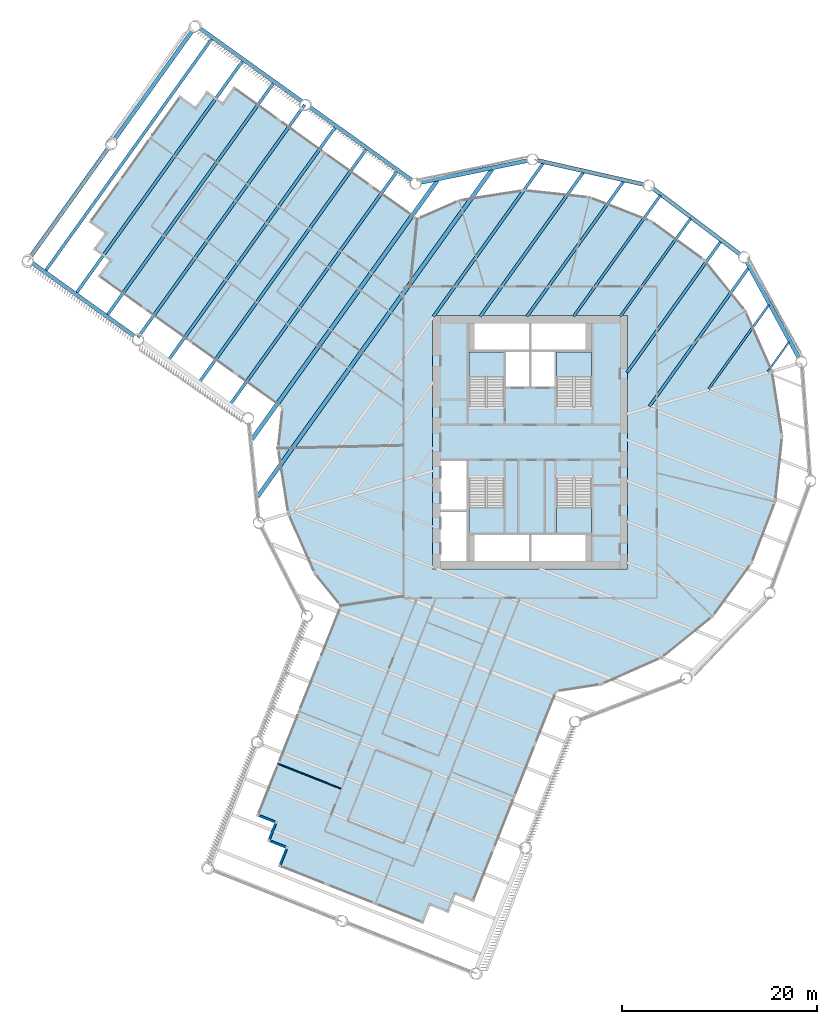
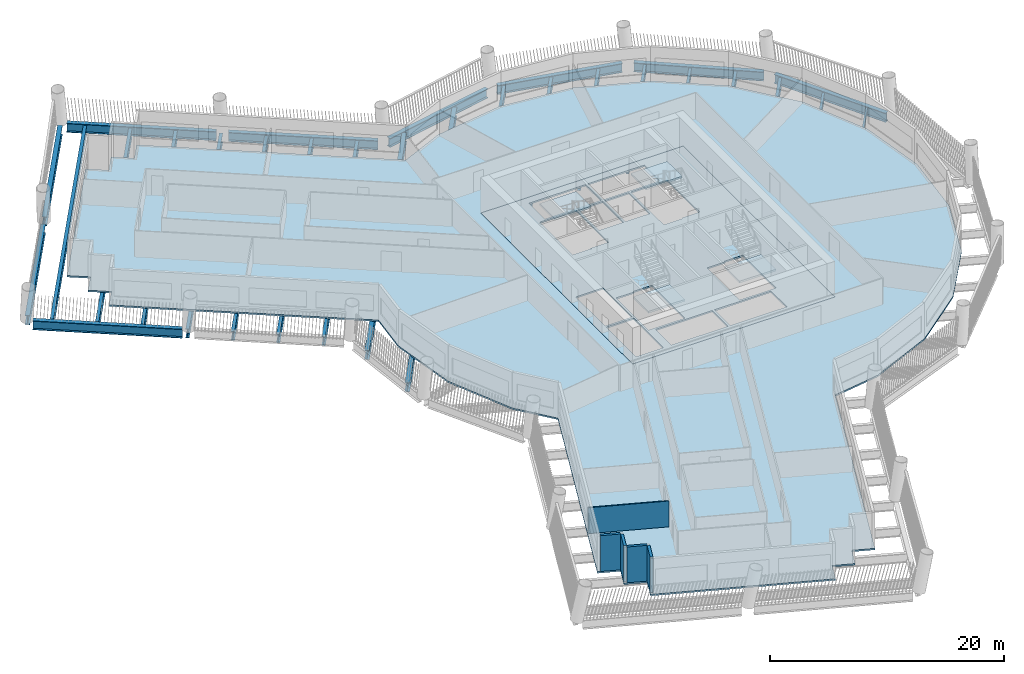
# One storey, part 2 of 17: 27 beams, 6 slabs, 5 walls, 4 elements without a shape of their own.
"""IFC4 building model written with IfcOpenShell, lengths in metres."""

from ifc_helpers import new_model, si_unit, direction, frame, frame_2d, origin, origin_2d, place, context, subcontext, project, spatial, polyline, rectangle, i_section, outline, extrude, material, layer, layer_set, material_profile, profile_set, type_object, element, aggregate, save


model = new_model("IFC4")

# Units and contexts
model_context = context("Model", 3, precision=1e-05, world=origin(), true_north=direction((0.0, 1.0)))
body_context = subcontext(model_context, "Body", "Model", "MODEL_VIEW")
ifc_project = project(units=[si_unit("LENGTHUNIT", "METRE"), si_unit("AREAUNIT", "SQUARE_METRE"), si_unit("VOLUMEUNIT", "CUBIC_METRE"), si_unit("PLANEANGLEUNIT", "RADIAN"), si_unit("MASSUNIT", "GRAM", prefix="KILO")], contexts=[model_context])

# Site, building, storey
site_placement = place(None, origin())
site = spatial("IfcSite", under=ifc_project, at=site_placement, CompositionType="ELEMENT")
building_placement = place(site_placement, origin())
building = spatial("IfcBuilding", under=site, at=building_placement, Name="Tarsis Ring Headquarters", CompositionType="ELEMENT")
storey_placement = place(building_placement, frame((0.0, 0.0, 127.89990234375)))
storey = spatial("IfcBuildingStorey", under=building, at=storey_placement, Name="L29", CompositionType="ELEMENT", Elevation=127.89990234375)

# Beams
ifc_material_1 = material(Name="Structural steel S355", Category="steel")
ifc_material_profile_1 = material_profile(ifc_material_1, i_section(OverallWidth=0.177734375, OverallDepth=0.406494140625, WebThickness=0.0078125, FlangeThickness=0.0126953125, at=origin_2d()), Name="W16x40")
ifc_profile_set_1 = profile_set([ifc_material_profile_1], Name="Structural steel S355")
beam_type_1 = type_object("IfcBeamType", Name="FB Floor beam W16x40", PredefinedType="JOIST", material=ifc_profile_set_1)
beam_1_placement = place(storey_placement, frame((26.57763671875, 10.310546875, -0.363037109375), z_axis=(-0.582422660769, -0.812886120083, 0.0), x_axis=(0.812886120083, -0.582422660769, 0.0)))
element("IfcBeam", 1, at=beam_1_placement, inside=storey, type_object=beam_type_1, Name="Floor beam FB1", PredefinedType="JOIST", context=body_context, shape_type="SweptSolid", body=[
    extrude(i_section(OverallWidth=0.177734375, OverallDepth=0.406494140625, WebThickness=0.0078125, FlangeThickness=0.0126953125, at=origin_2d()), origin(), (0.0, 0.0, 1.0), 3.74169921875),
])
ifc_material_profile_2 = material_profile(ifc_material_1, i_section(OverallWidth=0.228271484375, OverallDepth=0.607177734375, WebThickness=0.01123046875, FlangeThickness=0.017333984375, at=origin_2d()), Name="W24x76")
ifc_profile_set_2 = profile_set([ifc_material_profile_2], Name="Structural steel S355")
beam_type_2 = type_object("IfcBeamType", Name="FB Floor beam W24x76", PredefinedType="JOIST", material=ifc_profile_set_2)
beam_2_placement = place(storey_placement, frame((24.5068359375, 14.116455078125, -0.46337890625), z_axis=(-0.582398710477, -0.812903279631, 0.0), x_axis=(0.812903279631, -0.582398710477, 0.0)))
element("IfcBeam", 2, at=beam_2_placement, inside=storey, type_object=beam_type_2, Name="Floor beam FB4", PredefinedType="JOIST", context=body_context, shape_type="SweptSolid", body=[
    extrude(i_section(OverallWidth=0.228271484375, OverallDepth=0.607177734375, WebThickness=0.01123046875, FlangeThickness=0.017333984375, at=origin_2d()), origin(), (0.0, 0.0, 1.0), 10.621337890625),
])
ifc_material_profile_3 = material_profile(ifc_material_1, i_section(OverallWidth=0.2529296875, OverallDepth=0.67822265625, WebThickness=0.01171875, FlangeThickness=0.016357421875, at=origin_2d()), Name="W27x84")
ifc_profile_set_3 = profile_set([ifc_material_profile_3], Name="Structural steel S355")
beam_type_3 = type_object("IfcBeamType", Name="FB Floor beam W27x84", PredefinedType="JOIST", material=ifc_profile_set_3)
beam_3_placement = place(storey_placement, frame((16.47802734375, 22.999267578125, -0.4990234375), z_axis=(-0.582412713309, -0.81289324722, 0.0), x_axis=(0.81289324722, -0.582412713309, 0.0)))
element("IfcBeam", 3, at=beam_3_placement, inside=storey, type_object=beam_type_3, Name="Floor beam FB5", PredefinedType="JOIST", context=body_context, shape_type="SweptSolid", body=[
    extrude(i_section(OverallWidth=0.2529296875, OverallDepth=0.67822265625, WebThickness=0.01171875, FlangeThickness=0.016357421875, at=origin_2d()), origin(), (0.0, 0.0, 1.0), 12.40087890625),
])
ifc_material_profile_4 = material_profile(ifc_material_1, i_section(OverallWidth=0.2666015625, OverallDepth=0.7568359375, WebThickness=0.013916015625, FlangeThickness=0.019287109375, at=origin_2d()), Name="W30x108")
ifc_profile_set_4 = profile_set([ifc_material_profile_4], Name="Structural steel S355")
beam_type_4 = type_object("IfcBeamType", Name="FB Floor beam W30x108", PredefinedType="JOIST", material=ifc_profile_set_4)
beam_4_placement = place(storey_placement, frame((13.36669921875, 25.352783203125, -0.538330078125), z_axis=(-0.58241524467, -0.812891433573, 0.0), x_axis=(0.812891433573, -0.58241524467, 0.0)))
element("IfcBeam", 4, at=beam_4_placement, inside=storey, type_object=beam_type_4, Name="Floor beam FB6", PredefinedType="JOIST", context=body_context, shape_type="SweptSolid", body=[
    extrude(i_section(OverallWidth=0.2666015625, OverallDepth=0.7568359375, WebThickness=0.013916015625, FlangeThickness=0.019287109375, at=origin_2d()), origin(), (0.0, 0.0, 1.0), 15.296142578125),
])
ifc_material_profile_5 = material_profile(ifc_material_1, i_section(OverallWidth=0.2919921875, OverallDepth=0.835693359375, WebThickness=0.013916015625, FlangeThickness=0.018798828125, at=origin_2d()), Name="W33x118")
ifc_profile_set_5 = profile_set([ifc_material_profile_5], Name="Structural steel S355")
beam_type_5 = type_object("IfcBeamType", Name="FB Floor beam W33x118", PredefinedType="JOIST", material=ifc_profile_set_5)
beam_5_placement = place(storey_placement, frame((22.43603515625, 17.92236328125, -0.57763671875), z_axis=(-0.5824094129, -0.81289561185, 0.0), x_axis=(0.81289561185, -0.5824094129, 0.0)))
element("IfcBeam", 5, at=beam_5_placement, inside=storey, type_object=beam_type_5, Name="Floor beam FB7", PredefinedType="JOIST", context=body_context, shape_type="SweptSolid", body=[
    extrude(i_section(OverallWidth=0.2919921875, OverallDepth=0.835693359375, WebThickness=0.013916015625, FlangeThickness=0.018798828125, at=origin_2d()), origin(), (0.0, 0.0, 1.0), 17.500732421875),
])
beam_6_placement = place(storey_placement, frame((19.58935546875, 20.6455078125, -0.57763671875), z_axis=(-0.582414261785, -0.812892137783, 0.0), x_axis=(0.812892137783, -0.582414261785, 0.0)))
element("IfcBeam", 6, at=beam_6_placement, inside=storey, type_object=beam_type_5, Name="Floor beam FB7", PredefinedType="JOIST", context=body_context, shape_type="SweptSolid", body=[
    extrude(i_section(OverallWidth=0.2919921875, OverallDepth=0.835693359375, WebThickness=0.013916015625, FlangeThickness=0.018798828125, at=origin_2d()), origin(), (0.0, 0.0, 1.0), 16.56494140625),
])
beam_7_placement = place(storey_placement, frame((9.61572265625, 26.813720703125, -0.57763671875), z_axis=(-0.582411677387, -0.812893989425, 0.0), x_axis=(0.812893989425, -0.582411677387, 0.0)))
element("IfcBeam", 7, at=beam_7_placement, inside=storey, type_object=beam_type_5, Name="Floor beam FB7", PredefinedType="JOIST", context=body_context, shape_type="SweptSolid", body=[
    extrude(i_section(OverallWidth=0.2919921875, OverallDepth=0.835693359375, WebThickness=0.013916015625, FlangeThickness=0.018798828125, at=origin_2d()), origin(), (0.0, 0.0, 1.0), 17.09326171875),
])
ifc_material_profile_6 = material_profile(ifc_material_1, i_section(OverallWidth=0.3046875, OverallDepth=0.904296875, WebThickness=0.01513671875, FlangeThickness=0.02001953125, at=origin_2d()), Name="W36x135")
ifc_profile_set_6 = profile_set([ifc_material_profile_6], Name="Structural steel S355")
beam_type_6 = type_object("IfcBeamType", Name="FB Floor beam W36x135", PredefinedType="JOIST", material=ifc_profile_set_6)
beam_8_placement = place(storey_placement, frame((5.488037109375, 27.748779296875, -0.612060546875), z_axis=(-0.582411072359, -0.812894422907, 0.0), x_axis=(0.812894422907, -0.582411072359, 0.0)))
element("IfcBeam", 8, at=beam_8_placement, inside=storey, type_object=beam_type_6, Name="Floor beam FB8", PredefinedType="JOIST", context=body_context, shape_type="SweptSolid", body=[
    extrude(i_section(OverallWidth=0.3046875, OverallDepth=0.904296875, WebThickness=0.01513671875, FlangeThickness=0.02001953125, at=origin_2d()), origin(), (0.0, 0.0, 1.0), 18.24365234375),
])
beam_9_placement = place(storey_placement, frame((1.360107421875, 28.683837890625, -0.612060546875), z_axis=(-0.582402220503, -0.812900764887, 0.0), x_axis=(0.812900764887, -0.582402220503, 0.0)))
element("IfcBeam", 9, at=beam_9_placement, inside=storey, type_object=beam_type_6, Name="Floor beam FB8", PredefinedType="JOIST", context=body_context, shape_type="SweptSolid", body=[
    extrude(i_section(OverallWidth=0.3046875, OverallDepth=0.904296875, WebThickness=0.01513671875, FlangeThickness=0.02001953125, at=origin_2d()), origin(), (0.0, 0.0, 1.0), 19.393798828125),
])
ifc_material_profile_7 = material_profile(ifc_material_1, i_section(OverallWidth=0.309814453125, OverallDepth=0.949951171875, WebThickness=0.0244140625, FlangeThickness=0.0439453125, at=origin_2d()), Name="W36x256")
ifc_profile_set_7 = profile_set([ifc_material_profile_7], Name="Structural steel S355")
beam_type_7 = type_object("IfcBeamType", Name="FB Floor beam W36x256", PredefinedType="JOIST", material=ifc_profile_set_7)
for number, where, z_axis, x_axis, name in (
    (10, (-13.6376953125, 27.83935546875, -0.635009765625), (-0.582408204366, -0.812896477718, 0.0), (0.812896477718, -0.582408204366, 0.0), "Floor beam FB11"),
    (11, (-16.80810546875, 30.11083984375, -0.635009765625), (-0.582408204366, -0.812896477718, 0.0), (0.812896477718, -0.582408204366, 0.0), "Floor beam FB11"),
):
    element("IfcBeam", number, at=place(storey_placement, frame(where, z_axis=z_axis, x_axis=x_axis)), inside=storey, type_object=beam_type_7, Name=name, PredefinedType="JOIST", context=body_context, shape_type="SweptSolid", body=[
        extrude(i_section(OverallWidth=0.309814453125, OverallDepth=0.949951171875, WebThickness=0.0244140625, FlangeThickness=0.0439453125, at=origin_2d()), origin(), (0.0, 0.0, 1.0), 29.375732421875),
    ])
beam_10_placement = place(storey_placement, frame((-19.978271484375, 32.38232421875, -0.635009765625), z_axis=(-0.582404269658, -0.812899296767, 0.0), x_axis=(0.812899296767, -0.582404269658, 0.0)))
element("IfcBeam", 12, at=beam_10_placement, inside=storey, type_object=beam_type_7, Name="Floor beam FB11", PredefinedType="JOIST", context=body_context, shape_type="SweptSolid", body=[
    extrude(i_section(OverallWidth=0.309814453125, OverallDepth=0.949951171875, WebThickness=0.0244140625, FlangeThickness=0.0439453125, at=origin_2d()), origin(), (0.0, 0.0, 1.0), 29.3759765625),
])
beam_11_placement = place(storey_placement, frame((-23.148681640625, 34.653564453125, -0.635009765625), z_axis=(-0.582408204366, -0.812896477718, 0.0), x_axis=(0.812896477718, -0.582408204366, 0.0)))
element("IfcBeam", 13, at=beam_11_placement, inside=storey, type_object=beam_type_7, Name="Floor beam FB11", PredefinedType="JOIST", context=body_context, shape_type="SweptSolid", body=[
    extrude(i_section(OverallWidth=0.309814453125, OverallDepth=0.949951171875, WebThickness=0.0244140625, FlangeThickness=0.0439453125, at=origin_2d()), origin(), (0.0, 0.0, 1.0), 29.375732421875),
])
beam_12_placement = place(storey_placement, frame((-26.319091796875, 36.925048828125, -0.635009765625), z_axis=(-0.582404269658, -0.812899296767, 0.0), x_axis=(0.812899296767, -0.582404269658, 0.0)))
element("IfcBeam", 14, at=beam_12_placement, inside=storey, type_object=beam_type_7, Name="Floor beam FB11", PredefinedType="JOIST", context=body_context, shape_type="SweptSolid", body=[
    extrude(i_section(OverallWidth=0.309814453125, OverallDepth=0.949951171875, WebThickness=0.0244140625, FlangeThickness=0.0439453125, at=origin_2d()), origin(), (0.0, 0.0, 1.0), 29.3759765625),
])
for number, where, z_axis, x_axis, name in (
    (15, (-29.4892578125, 39.1962890625, -0.635009765625), (-0.582408204366, -0.812896477718, 0.0), (0.812896477718, -0.582408204366, 0.0), "Floor beam FB11"),
    (16, (-32.65966796875, 41.4677734375, -0.635009765625), (-0.582408204366, -0.812896477718, 0.0), (0.812896477718, -0.582408204366, 0.0), "Floor beam FB11"),
):
    element("IfcBeam", number, at=place(storey_placement, frame(where, z_axis=z_axis, x_axis=x_axis)), inside=storey, type_object=beam_type_7, Name=name, PredefinedType="JOIST", context=body_context, shape_type="SweptSolid", body=[
        extrude(i_section(OverallWidth=0.309814453125, OverallDepth=0.949951171875, WebThickness=0.0244140625, FlangeThickness=0.0439453125, at=origin_2d()), origin(), (0.0, 0.0, 1.0), 29.375732421875),
    ])
ifc_material_profile_8 = material_profile(ifc_material_1, i_section(OverallWidth=0.42431640625, OverallDepth=0.947509765625, WebThickness=0.02392578125, FlangeThickness=0.042724609375, at=origin_2d()), Name="W36x302")
ifc_profile_set_8 = profile_set([ifc_material_profile_8], Name="Structural steel S355")
beam_type_8 = type_object("IfcBeamType", Name="FB Floor beam W36x302", PredefinedType="JOIST", material=ifc_profile_set_8)
beam_13_placement = place(storey_placement, frame((-3.899169921875, 28.039306640625, -0.633544921875), z_axis=(-0.58241037296, -0.812894924002, 0.0), x_axis=(0.812894924002, -0.58241037296, 0.0)))
element("IfcBeam", 17, at=beam_13_placement, inside=storey, type_object=beam_type_8, Name="Floor beam FB12", PredefinedType="JOIST", context=body_context, shape_type="SweptSolid", body=[
    extrude(i_section(OverallWidth=0.42431640625, OverallDepth=0.947509765625, WebThickness=0.02392578125, FlangeThickness=0.042724609375, at=origin_2d()), origin(), (0.0, 0.0, 1.0), 41.35302734375),
])
beam_14_placement = place(storey_placement, frame((-9.522216796875, 26.88720703125, -0.633544921875), z_axis=(-0.582411913828, -0.812893820023, 0.0), x_axis=(0.812893820023, -0.582411913828, 0.0)))
element("IfcBeam", 18, at=beam_14_placement, inside=storey, type_object=beam_type_8, Name="Floor beam FB12", PredefinedType="JOIST", context=body_context, shape_type="SweptSolid", body=[
    extrude(i_section(OverallWidth=0.42431640625, OverallDepth=0.947509765625, WebThickness=0.02392578125, FlangeThickness=0.042724609375, at=origin_2d()), origin(), (0.0, 0.0, 1.0), 32.70458984375),
])
beam_type_9 = type_object("IfcBeamType", Name="XG Ring girder W36x302", PredefinedType="BEAM", material=ifc_profile_set_8)
beam_15_placement = place(storey_placement, frame((27.6181640625, 8.65380859375, -0.4736328125), z_axis=(-0.477941386917, 0.878391729624, 0.0), x_axis=(-0.878391729624, -0.477941386917, 0.0)))
element("IfcBeam", 19, at=beam_15_placement, inside=storey, type_object=beam_type_9, Name="Ring girder XG1", PredefinedType="BEAM", context=body_context, shape_type="SweptSolid", body=[
    extrude(i_section(OverallWidth=0.42431640625, OverallDepth=0.947509765625, WebThickness=0.02392578125, FlangeThickness=0.042724609375, at=origin_2d()), origin(), (0.0, 0.0, 1.0), 11.197021484375),
])
beam_16_placement = place(storey_placement, frame((21.595947265625, 19.268310546875, -0.4736328125), z_axis=(-0.797518091907, 0.603295029883, 0.0), x_axis=(-0.603295029883, -0.797518091907, 0.0)))
element("IfcBeam", 20, at=beam_16_placement, inside=storey, type_object=beam_type_9, Name="Ring girder XG1", PredefinedType="BEAM", context=body_context, shape_type="SweptSolid", body=[
    extrude(i_section(OverallWidth=0.42431640625, OverallDepth=0.947509765625, WebThickness=0.02392578125, FlangeThickness=0.042724609375, at=origin_2d()), origin(), (0.0, 0.0, 1.0), 11.197509765625),
])
for number, where, z_axis, x_axis, name in (
    (21, (11.73388671875, 26.45703125, -0.4736328125), (-0.975288750259, 0.220934048118, 0.0), (-0.220934048118, -0.975288750259, 0.0), "Ring girder XG1"),
    (22, (-0.214599609375, 28.94140625, -0.4736328125), (-0.97965252276, -0.200701107743, 0.0), (0.200701107743, -0.97965252276, 0.0), "Ring girder XG1"),
):
    element("IfcBeam", number, at=place(storey_placement, frame(where, z_axis=z_axis, x_axis=x_axis)), inside=storey, type_object=beam_type_9, Name=name, PredefinedType="BEAM", context=body_context, shape_type="SweptSolid", body=[
        extrude(i_section(OverallWidth=0.42431640625, OverallDepth=0.947509765625, WebThickness=0.02392578125, FlangeThickness=0.042724609375, at=origin_2d()), origin(), (0.0, 0.0, 1.0), 11.197265625),
    ])
beam_17_placement = place(storey_placement, frame((-12.12646484375, 26.894775390625, -0.4736328125), z_axis=(-0.81290467363, 0.58239676475, 0.0), x_axis=(-0.58239676475, -0.81290467363, 0.0)))
element("IfcBeam", 23, at=beam_17_placement, inside=storey, type_object=beam_type_9, Name="Ring girder XG1", PredefinedType="BEAM", context=body_context, shape_type="SweptSolid", body=[
    extrude(i_section(OverallWidth=0.42431640625, OverallDepth=0.947509765625, WebThickness=0.02392578125, FlangeThickness=0.042724609375, at=origin_2d()), origin(), (0.0, 0.0, 1.0), 12.8505859375),
])
beam_18_placement = place(storey_placement, frame((-23.427734375, 34.991455078125, -0.4736328125), z_axis=(-0.812895679149, 0.582409318968, 0.0), x_axis=(-0.582409318968, -0.812895679149, 0.0)))
element("IfcBeam", 24, at=beam_18_placement, inside=storey, type_object=beam_type_9, Name="Ring girder XG1", PredefinedType="BEAM", context=body_context, shape_type="SweptSolid", body=[
    extrude(i_section(OverallWidth=0.42431640625, OverallDepth=0.947509765625, WebThickness=0.02392578125, FlangeThickness=0.042724609375, at=origin_2d()), origin(), (0.0, 0.0, 1.0), 12.850830078125),
])
for number, where, z_axis, x_axis, name in (
    (25, (-34.607666015625, 42.3544921875, -0.4736328125), (-0.582403374436, -0.812899938151, 0.0), (0.812899938151, -0.582403374436, 0.0), "Ring girder XG1"),
    (26, (-43.227294921875, 30.32373046875, -0.4736328125), (-0.582403374436, -0.812899938151, 0.0), (0.812899938151, -0.582403374436, 0.0), "Ring girder XG1"),
):
    element("IfcBeam", number, at=place(storey_placement, frame(where, z_axis=z_axis, x_axis=x_axis)), inside=storey, type_object=beam_type_9, Name=name, PredefinedType="BEAM", context=body_context, shape_type="SweptSolid", body=[
        extrude(i_section(OverallWidth=0.42431640625, OverallDepth=0.947509765625, WebThickness=0.02392578125, FlangeThickness=0.042724609375, at=origin_2d()), origin(), (0.0, 0.0, 1.0), 13.748291015625),
    ])
beam_19_placement = place(storey_placement, frame((-51.11328125, 18.4140625, -0.4736328125), z_axis=(0.812895679149, -0.582409318968, 0.0), x_axis=(0.582409318968, 0.812895679149, 0.0)))
element("IfcBeam", 27, at=beam_19_placement, inside=storey, type_object=beam_type_9, Name="Ring girder XG1", PredefinedType="BEAM", context=body_context, shape_type="SweptSolid", body=[
    extrude(i_section(OverallWidth=0.42431640625, OverallDepth=0.947509765625, WebThickness=0.02392578125, FlangeThickness=0.042724609375, at=origin_2d()), origin(), (0.0, 0.0, 1.0), 12.850830078125),
])

# Slab
ifc_material_2 = material(Name="Concrete C40/50", Category="concrete")
ifc_layer_1 = layer(ifc_material_2, 0.159912109375)
ifc_layer_set_1 = layer_set([ifc_layer_1], Name="Core floor slab 160 C40/50")
slab_type_1 = type_object("IfcSlabType", Name="Core floor slab 160 C40/50", PredefinedType="FLOOR", material=ifc_layer_set_1)
slab_1_placement = place(storey_placement, frame((0.0, 0.0, -0.159912109375)))
element("IfcSlab", 28, at=slab_1_placement, inside=storey, type_object=slab_type_1, Name="L29 core floor slab", PredefinedType="FLOOR", context=body_context, shape_type="SweptSolid", body=[
    extrude(outline(polyline([(-10.0, -13.0), (10.0, -13.0), (10.0, 13.0), (-10.0, 13.0), (-10.0, -13.0)]), holes=[polyline([(-2.5, 5.699951171875), (-0.10009765625, 5.699951171875), (-0.10009765625, 9.300048828125), (-2.5, 9.300048828125), (-2.5, 5.699951171875)]), polyline([(0.10009765625, 5.699951171875), (2.5, 5.699951171875), (2.5, 9.300048828125), (0.10009765625, 9.300048828125), (0.10009765625, 5.699951171875)]), polyline([(-9.199951171875, -12.199951171875), (-6.5, -12.199951171875), (-6.5, -7.10009765625), (-9.199951171875, -7.10009765625), (-9.199951171875, -12.199951171875)]), polyline([(-9.199951171875, -6.89990234375), (-6.5, -6.89990234375), (-6.5, -1.89990234375), (-9.199951171875, -1.89990234375), (-9.199951171875, -6.89990234375)]), polyline([(-5.699951171875, 9.5), (-0.10009765625, 9.5), (-0.10009765625, 12.199951171875), (-5.699951171875, 12.199951171875), (-5.699951171875, 9.5)]), polyline([(0.10009765625, 9.5), (5.699951171875, 9.5), (5.699951171875, 12.199951171875), (0.10009765625, 12.199951171875), (0.10009765625, 9.5)]), polyline([(-5.699951171875, -12.199951171875), (-0.10009765625, -12.199951171875), (-0.10009765625, -9.5), (-5.699951171875, -9.5), (-5.699951171875, -12.199951171875)]), polyline([(0.10009765625, -12.199951171875), (5.699951171875, -12.199951171875), (5.699951171875, -9.5), (0.10009765625, -9.5), (0.10009765625, -12.199951171875)]), polyline([(-2.699951171875, 3.760009765625), (-2.699951171875, 9.300048828125), (-6.300048828125, 9.300048828125), (-6.300048828125, 3.659912109375), (-4.4599609375, 3.659912109375), (-4.4599609375, 3.760009765625), (-2.699951171875, 3.760009765625)]), polyline([(6.300048828125, 3.760009765625), (6.300048828125, 9.300048828125), (2.699951171875, 9.300048828125), (2.699951171875, 3.659912109375), (4.5400390625, 3.659912109375), (4.5400390625, 3.760009765625), (6.300048828125, 3.760009765625)]), polyline([(-6.300048828125, -3.760009765625), (-6.300048828125, -9.300048828125), (-2.699951171875, -9.300048828125), (-2.699951171875, -3.659912109375), (-4.5400390625, -3.659912109375), (-4.5400390625, -3.760009765625), (-6.300048828125, -3.760009765625)]), polyline([(2.699951171875, -3.760009765625), (2.699951171875, -9.300048828125), (6.300048828125, -9.300048828125), (6.300048828125, -3.659912109375), (4.4599609375, -3.659912109375), (4.4599609375, -3.760009765625), (2.699951171875, -3.760009765625)])]), origin(), (0.0, 0.0, 1.0), 0.159912109375),
])

# Stair, slab
ifc_material_3 = material(Name="Core stair 1760")
stair_type = type_object("IfcStairType", Name="Core stair 1760", PredefinedType="HALF_TURN_STAIR", material=ifc_material_3)
stair_1_placement = place(storey_placement, origin())
stair_1 = element("IfcStair", 29, at=stair_1_placement, inside=storey, type_object=stair_type, Name="L29 Firefighting stair", PredefinedType="HALF_TURN_STAIR")
ifc_layer_2 = layer(ifc_material_2, 0.199951171875)
ifc_layer_set_2 = layer_set([ifc_layer_2], Name="Core stair landing 200")
slab_type_2 = type_object("IfcSlabType", Name="Core stair landing 200", PredefinedType="LANDING", material=ifc_layer_set_2)
slab_2_placement = place(storey_placement, frame((0.0, 0.0, 1.75)))
slab_2 = element("IfcSlab", 30, at=slab_2_placement, type_object=slab_type_2, Name="Stair ST1 landing 1", PredefinedType="LANDING", context=body_context, shape_type="SweptSolid", body=[
    extrude(outline(polyline([(-2.699951171875, 6.739990234375), (-2.699951171875, 9.300048828125), (-6.300048828125, 9.300048828125), (-6.300048828125, 6.739990234375), (-2.699951171875, 6.739990234375)])), origin(), (0.0, 0.0, 1.0), 0.2001953125),
])
aggregate(stair_1, [slab_2])

stair_2_placement = place(storey_placement, origin())
stair_2 = element("IfcStair", 31, at=stair_2_placement, inside=storey, type_object=stair_type, Name="L29 Exit stair B", PredefinedType="HALF_TURN_STAIR")
slab_3_placement = place(storey_placement, frame((0.0, 0.0, 1.75)))
slab_3 = element("IfcSlab", 32, at=slab_3_placement, type_object=slab_type_2, Name="Stair ST2 landing 1", PredefinedType="LANDING", context=body_context, shape_type="SweptSolid", body=[
    extrude(outline(polyline([(6.300048828125, 6.739990234375), (6.300048828125, 9.300048828125), (2.699951171875, 9.300048828125), (2.699951171875, 6.739990234375), (6.300048828125, 6.739990234375)])), origin(), (0.0, 0.0, 1.0), 0.2001953125),
])
aggregate(stair_2, [slab_3])

stair_3_placement = place(storey_placement, origin())
stair_3 = element("IfcStair", 33, at=stair_3_placement, inside=storey, type_object=stair_type, Name="L29 Exit stair C", PredefinedType="HALF_TURN_STAIR")
slab_4_placement = place(storey_placement, frame((0.0, 0.0, 1.75)))
slab_4 = element("IfcSlab", 34, at=slab_4_placement, type_object=slab_type_2, Name="Stair ST3 landing 1", PredefinedType="LANDING", context=body_context, shape_type="SweptSolid", body=[
    extrude(outline(polyline([(-6.300048828125, -6.739990234375), (-6.300048828125, -9.300048828125), (-2.699951171875, -9.300048828125), (-2.699951171875, -6.739990234375), (-6.300048828125, -6.739990234375)])), origin(), (0.0, 0.0, 1.0), 0.2001953125),
])
aggregate(stair_3, [slab_4])

stair_4_placement = place(storey_placement, origin())
stair_4 = element("IfcStair", 35, at=stair_4_placement, inside=storey, type_object=stair_type, Name="L29 Exit stair D", PredefinedType="HALF_TURN_STAIR")
slab_5_placement = place(storey_placement, frame((0.0, 0.0, 1.75)))
slab_5 = element("IfcSlab", 36, at=slab_5_placement, type_object=slab_type_2, Name="Stair ST4 landing 1", PredefinedType="LANDING", context=body_context, shape_type="SweptSolid", body=[
    extrude(outline(polyline([(2.699951171875, -6.739990234375), (2.699951171875, -9.300048828125), (6.300048828125, -9.300048828125), (6.300048828125, -6.739990234375), (2.699951171875, -6.739990234375)])), origin(), (0.0, 0.0, 1.0), 0.2001953125),
])
aggregate(stair_4, [slab_5])

# Slab
ifc_material_4 = material(Name="Concrete C35/45", Category="concrete")
ifc_layer_3 = layer(ifc_material_4, 0.159912109375)
ifc_layer_set_3 = layer_set([ifc_layer_3], Name="FS Composite floor slab 160")
slab_type_3 = type_object("IfcSlabType", Name="FS Composite floor slab 160", PredefinedType="FLOOR", material=ifc_layer_set_3)
slab_6_placement = place(storey_placement, frame((0.0, 0.0, -0.159912109375)))
element("IfcSlab", 37, at=slab_6_placement, inside=storey, type_object=slab_type_3, Name="Floor slab L29", PredefinedType="FLOOR", context=body_context, shape_type="SweptSolid", body=[
    extrude(outline(polyline([(-25.545654296875, 3.54052734375), (-25.992431640625, -0.626220703125), (-24.94482421875, -7.332275390625), (-22.197021484375, -13.53857421875), (-19.566650390625, -16.800537109375), (-28.1044921875, -38.342529296875), (-26.2451171875, -39.079345703125), (-26.98193359375, -40.938720703125), (-25.122802734375, -41.675537109375), (-25.859619140625, -43.534912109375), (-10.9853515625, -49.429931640625), (-10.248291015625, -47.57080078125), (-8.38916015625, -48.3076171875), (-7.652099609375, -46.4482421875), (-5.79296875, -47.185302734375), (2.7373046875, -25.66259765625), (7.332275390625, -24.94482421875), (13.53857421875, -22.197021484375), (18.822265625, -17.936767578125), (22.8232421875, -12.453857421875), (25.268798828125, -6.12255859375), (25.992431640625, 0.626220703125), (24.94482421875, 7.332275390625), (22.197021484375, 13.53857421875), (17.936767578125, 18.822265625), (12.453857421875, 22.8232421875), (6.12255859375, 25.268798828125), (-0.626220703125, 25.992431640625), (-7.332275390625, 24.94482421875), (-11.584716796875, 23.06201171875), (-30.404296875, 36.54541015625), (-31.5693359375, 34.919677734375), (-33.195068359375, 36.08447265625), (-34.35986328125, 34.458740234375), (-35.985595703125, 35.62353515625), (-45.30419921875, 22.6171875), (-43.67822265625, 21.452392578125), (-44.84326171875, 19.82666015625), (-43.21728515625, 18.66162109375), (-44.382080078125, 17.035888671875), (-25.545654296875, 3.54052734375)]), holes=[polyline([(-10.0, -13.0), (-10.0, 13.0), (10.0, 13.0), (10.0, -13.0), (-10.0, -13.0)])]), origin(), (0.0, 0.0, 1.0), 0.159912109375),
])

# Walls
ifc_material_5 = material(Name="Gypsum board on steel studs", Category="steel")
ifc_layer_4 = layer(ifc_material_5, 0.10009765625)
ifc_layer_set_4 = layer_set([ifc_layer_4], Name="FL partition 100 unrated")
wall_type_1 = type_object("IfcWallType", Name="FL partition 100 unrated", PredefinedType="PARTITIONING", material=ifc_layer_set_4)
wall_1_placement = place(storey_placement, frame((-25.924560546875, -32.978271484375, 0.0), z_axis=(0.0, 0.0, 1.0), x_axis=(0.929643697641, -0.368459760945, 0.0)))
element("IfcWall", 38, at=wall_1_placement, inside=storey, type_object=wall_type_1, Name="Partition PW3", PredefinedType="PARTITIONING", context=body_context, shape_type="SweptSolid", body=[
    extrude(rectangle(XDim=6.969970703125, YDim=0.10009765625, at=frame_2d((3.48486328125, 0.0))), origin(), (0.0, 0.0, 1.0), 2.7001953125),
])
ifc_material_6 = material(Name="Terracotta clad insulated panel wall", Category="masonry")
ifc_layer_5 = layer(ifc_material_6, 0.25)
ifc_layer_set_5 = layer_set([ifc_layer_5], Name="Facade wall terracotta panel 250")
wall_type_2 = type_object("IfcWallType", Name="Facade wall terracotta panel 250", PredefinedType="STANDARD", material=ifc_layer_set_5)
wall_2_placement = place(storey_placement, frame((-27.825927734375, -38.318359375, 0.0), z_axis=(0.0, 0.0, 1.0), x_axis=(0.929655357201, -0.368430341892, 0.0)))
element("IfcWall", 39, at=wall_2_placement, inside=storey, type_object=wall_type_2, Name="External wall L29-07", PredefinedType="STANDARD", context=body_context, shape_type="SweptSolid", body=[
    extrude(rectangle(XDim=1.75, YDim=0.25, at=frame_2d((0.875, 0.0))), origin(), (0.0, 0.0, 1.0), 3.739990234375),
])
wall_3_placement = place(storey_placement, frame((-26.12890625, -39.12548828125, 0.0), z_axis=(0.0, 0.0, 1.0), x_axis=(-0.368478129606, -0.929636417102, 0.0)))
element("IfcWall", 40, at=wall_3_placement, inside=storey, type_object=wall_type_2, Name="External wall L29-08", PredefinedType="STANDARD", context=body_context, shape_type="SweptSolid", body=[
    extrude(rectangle(XDim=1.749755859375, YDim=0.25, at=frame_2d((0.875, 0.0))), origin(), (0.0, 0.0, 1.0), 3.739990234375),
])
wall_4_placement = place(storey_placement, frame((-26.70361328125, -40.91455078125, 0.0), z_axis=(0.0, 0.0, 1.0), x_axis=(0.929655357201, -0.368430341892, 0.0)))
element("IfcWall", 41, at=wall_4_placement, inside=storey, type_object=wall_type_2, Name="External wall L29-09", PredefinedType="STANDARD", context=body_context, shape_type="SweptSolid", body=[
    extrude(rectangle(XDim=1.75, YDim=0.25, at=frame_2d((0.875, 0.0))), origin(), (0.0, 0.0, 1.0), 3.739990234375),
])
wall_5_placement = place(storey_placement, frame((-25.006591796875, -41.7216796875, 0.0), z_axis=(0.0, 0.0, 1.0), x_axis=(-0.368478129606, -0.929636417102, 0.0)))
element("IfcWall", 42, at=wall_5_placement, inside=storey, type_object=wall_type_2, Name="External wall L29-10", PredefinedType="STANDARD", context=body_context, shape_type="SweptSolid", body=[
    extrude(rectangle(XDim=1.749755859375, YDim=0.25, at=frame_2d((0.875, 0.0))), origin(), (0.0, 0.0, 1.0), 3.739990234375),
])

save(model, "model.ifc")
